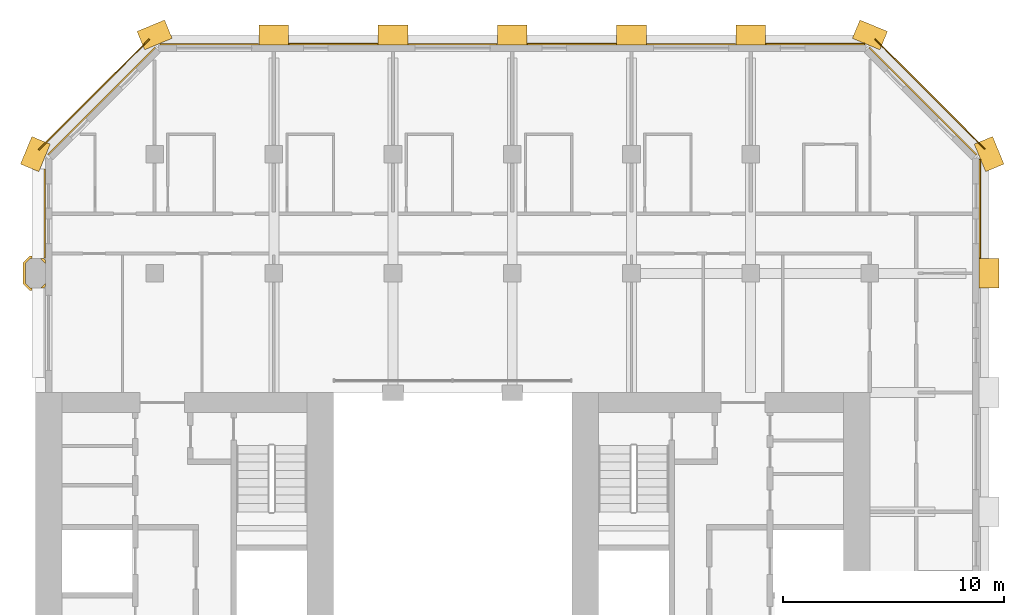
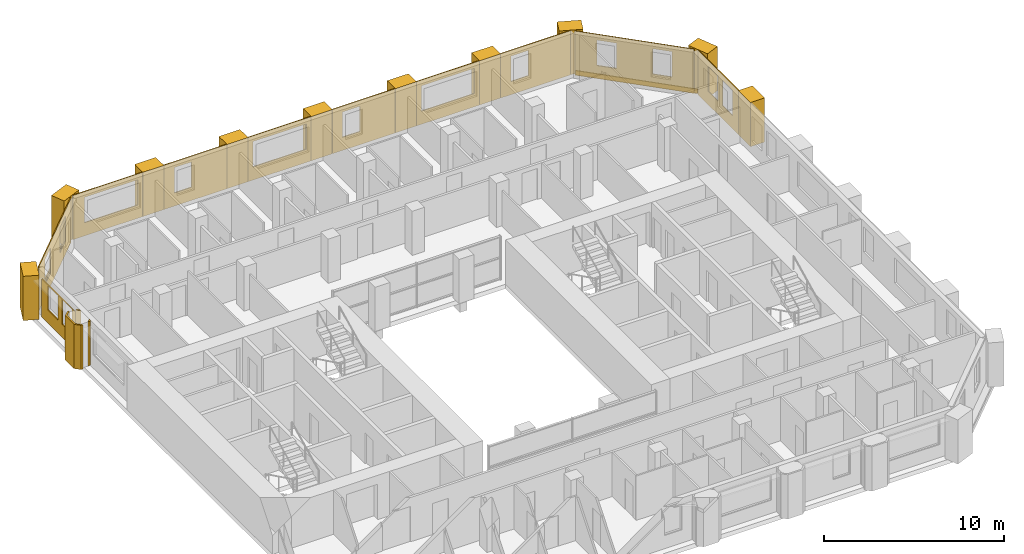
# One storey, part 12 of 12: 25 coverings.
"""IFC4 building model written with IfcOpenShell, lengths in metres."""

from ifc_helpers import new_model, si_unit, direction, frame, frame_2d, origin, place, context, subcontext, project, spatial, polyline, rectangle, outline, extrude, material, layer, layer_set, type_object, element, save


model = new_model("IFC4")

# Units and contexts
model_context = context("Model", 3, precision=1e-05, world=origin(), true_north=direction((0.0, 1.0)))
body_context = subcontext(model_context, "Body", "Model", "MODEL_VIEW")
ifc_project = project(units=[si_unit("LENGTHUNIT", "METRE"), si_unit("AREAUNIT", "SQUARE_METRE"), si_unit("VOLUMEUNIT", "CUBIC_METRE"), si_unit("PLANEANGLEUNIT", "RADIAN"), si_unit("MASSUNIT", "GRAM", prefix="KILO")], contexts=[model_context])

# Site, building, storey
site_placement = place(None, origin())
site = spatial("IfcSite", under=ifc_project, at=site_placement, CompositionType="ELEMENT")
building_placement = place(site_placement, origin())
building = spatial("IfcBuilding", under=site, at=building_placement, Name="Tabaq Tower and Sports Hall", CompositionType="ELEMENT")
storey_placement = place(building_placement, frame((0.0, 0.0, 184.0)))
storey = spatial("IfcBuildingStorey", under=building, at=storey_placement, Name="L44", CompositionType="ELEMENT", Elevation=184.0)

# Coverings
ifc_material_1 = material(Name="Precast concrete C60/75", Category="concrete")
ifc_layer_1 = layer(ifc_material_1, 0.10009765625)
ifc_layer_set_1 = layer_set([ifc_layer_1], Name="Column cladding 100")
covering_type_1 = type_object("IfcCoveringType", Name="Column cladding 100", PredefinedType="CLADDING", material=ifc_layer_set_1)
covering_1_placement = place(storey_placement, origin())
element("IfcCovering", 1, at=covering_1_placement, inside=storey, type_object=covering_type_1, Name="Column cladding L44 PC-2H-H2", PredefinedType="CLADDING", context=body_context, shape_type="SweptSolid", body=[
    extrude(outline(polyline([(5.1337890625, 37.025634765625), (4.8505859375, 37.308837890625), (4.8505859375, 38.291259765625), (5.1337890625, 38.574462890625), (5.24951171875, 38.574462890625), (5.24951171875, 38.4755859375), (5.1748046875, 38.4755859375), (4.949462890625, 38.250244140625), (4.949462890625, 37.349853515625), (5.1748046875, 37.12451171875), (5.24951171875, 37.12451171875), (5.24951171875, 37.025634765625), (5.1337890625, 37.025634765625)])), origin(), (0.0, 0.0, 1.0), 3.0),
])
covering_2_placement = place(storey_placement, origin())
element("IfcCovering", 2, at=covering_2_placement, inside=storey, type_object=covering_type_1, Name="Column cladding L44 PC-2H-H2 2", PredefinedType="CLADDING", context=body_context, shape_type="SweptSolid", body=[
    extrude(outline(polyline([(5.766357421875, 37.125244140625), (5.625732421875, 37.125244140625), (5.849609375, 37.349365234375), (5.849609375, 37.208740234375), (5.766357421875, 37.125244140625)])), origin(), (0.0, 0.0, 1.0), 3.0),
])
covering_3_placement = place(storey_placement, origin())
element("IfcCovering", 3, at=covering_3_placement, inside=storey, type_object=covering_type_1, Name="Column cladding L44 PC-2H-H2 3", PredefinedType="CLADDING", context=body_context, shape_type="SweptSolid", body=[
    extrude(outline(polyline([(5.62646484375, 38.474365234375), (5.76611328125, 38.474365234375), (5.849365234375, 38.39111328125), (5.849365234375, 38.25146484375), (5.62646484375, 38.474365234375)])), origin(), (0.0, 0.0, 1.0), 3.0),
])
ifc_material_2 = material(Name="Precast concrete C60/75", Category="concrete")
ifc_layer_2 = layer(ifc_material_2, 0.06005859375)
ifc_layer_set_2 = layer_set([ifc_layer_2], Name="Edge beam cladding 60")
covering_type_2 = type_object("IfcCoveringType", Name="Edge beam cladding 60", PredefinedType="CLADDING", material=ifc_layer_set_2)
covering_4_placement = place(storey_placement, frame((48.41015625, 43.432373046875, -0.300048828125), z_axis=(0.0, 0.0, 1.0), x_axis=(-0.707106781187, 0.707106781187, 0.0)))
element("IfcCovering", 4, at=covering_4_placement, inside=storey, type_object=covering_type_2, Name="Edge beam cladding L44 3", PredefinedType="CLADDING", context=body_context, shape_type="SweptSolid", body=[
    extrude(rectangle(XDim=7.03955078125, YDim=0.06005859375, at=frame_2d((3.519775390625, 0.0))), origin(), (0.0, 0.0, 1.0), 0.300048828125),
])
covering_5_placement = place(storey_placement, frame((10.567626953125, 48.41015625, -0.300048828125), z_axis=(0.0, 0.0, 1.0), x_axis=(-0.707089559252, -0.707124002701, 0.0)))
element("IfcCovering", 5, at=covering_5_placement, inside=storey, type_object=covering_type_2, Name="Edge beam cladding L44 5", PredefinedType="CLADDING", context=body_context, shape_type="SweptSolid", body=[
    extrude(rectangle(XDim=7.088134765625, YDim=0.06005859375, at=frame_2d((3.5439453125, 0.0))), origin(), (0.0, 0.0, 1.0), 0.300048828125),
])
ifc_material_3 = material(Name="White precast concrete C60/75", Category="concrete")
covering_type_3 = type_object("IfcCoveringType", Name="Pier cladding hung 1350x900", PredefinedType="CLADDING", material=ifc_material_3)
for number, where, z_axis, x_axis, name in (
    (6, (5.658203125, 43.82373046875, 0.0), (0.0, 0.0, 1.0), (-0.382649923473, -0.923893411637, 0.0), "Hung pier cladding 1/8"),
    (7, (11.423583984375, 48.8583984375, 0.0), (0.0, 0.0, 1.0), (-0.923893411637, -0.382649923473, 0.0), "Hung pier cladding 2/9"),
    (8, (16.875, 48.60009765625, 0.0), (0.0, 0.0, 1.0), (-1.0, 0.0, 0.0), "Hung pier cladding 3/9"),
):
    element("IfcCovering", number, at=place(storey_placement, frame(where, z_axis=z_axis, x_axis=x_axis)), inside=storey, type_object=covering_type_3, Name=name, PredefinedType="CLADDING", context=body_context, shape_type="SweptSolid", body=[
        extrude(rectangle(XDim=1.35009765625, YDim=0.89990234375, at=frame_2d((0.675048828125, 0.0))), origin(), (0.0, 0.0, 1.0), 3.0),
    ])
covering_6_placement = place(storey_placement, frame((22.27490234375, 48.60009765625, 0.0), z_axis=(0.0, 0.0, 1.0), x_axis=(-1.0, 0.0, 0.0)))
element("IfcCovering", 9, at=covering_6_placement, inside=storey, type_object=covering_type_3, Name="Hung pier cladding 4/9", PredefinedType="CLADDING", context=body_context, shape_type="SweptSolid", body=[
    extrude(rectangle(XDim=1.349853515625, YDim=0.89990234375, at=frame_2d((0.6748046875, 0.0))), origin(), (0.0, 0.0, 1.0), 3.0),
])
covering_7_placement = place(storey_placement, frame((27.675048828125, 48.60009765625, 0.0), z_axis=(0.0, 0.0, 1.0), x_axis=(-1.0, 0.0, 0.0)))
element("IfcCovering", 10, at=covering_7_placement, inside=storey, type_object=covering_type_3, Name="Hung pier cladding 5/9", PredefinedType="CLADDING", context=body_context, shape_type="SweptSolid", body=[
    extrude(rectangle(XDim=1.35009765625, YDim=0.89990234375, at=frame_2d((0.675048828125, 0.0))), origin(), (0.0, 0.0, 1.0), 3.0),
])
covering_8_placement = place(storey_placement, frame((33.074951171875, 48.60009765625, 0.0), z_axis=(0.0, 0.0, 1.0), x_axis=(-1.0, 0.0, 0.0)))
element("IfcCovering", 11, at=covering_8_placement, inside=storey, type_object=covering_type_3, Name="Hung pier cladding 6/9", PredefinedType="CLADDING", context=body_context, shape_type="SweptSolid", body=[
    extrude(rectangle(XDim=1.349853515625, YDim=0.89990234375, at=frame_2d((0.6748046875, 0.0))), origin(), (0.0, 0.0, 1.0), 3.0),
])
for number, where, z_axis, x_axis, name in (
    (12, (38.47509765625, 48.60009765625, 0.0), (0.0, 0.0, 1.0), (-1.0, 0.0, 0.0), "Hung pier cladding 7/9"),
    (13, (43.82373046875, 48.341796875, 0.0), (0.0, 0.0, 1.0), (-0.923893411637, 0.382649923473, 0.0), "Hung pier cladding 8/9"),
    (14, (48.60009765625, 37.125, 0.0), (0.0, 0.0, 1.0), (0.0, 1.0, 0.0), "Hung pier cladding 9/7"),
    (15, (48.8583984375, 42.576416015625, 0.0), (0.0, 0.0, 1.0), (-0.382649923473, 0.923893411637, 0.0), "Hung pier cladding 9/8"),
):
    element("IfcCovering", number, at=place(storey_placement, frame(where, z_axis=z_axis, x_axis=x_axis)), inside=storey, type_object=covering_type_3, Name=name, PredefinedType="CLADDING", context=body_context, shape_type="SweptSolid", body=[
        extrude(rectangle(XDim=1.35009765625, YDim=0.89990234375, at=frame_2d((0.675048828125, 0.0))), origin(), (0.0, 0.0, 1.0), 3.0),
    ])
ifc_material_4 = material(Name="Precast concrete C60/75", Category="concrete")
ifc_layer_3 = layer(ifc_material_4, 0.06005859375)
ifc_layer_set_3 = layer_set([ifc_layer_3], Name="White precast cladding panel 60 C60/75")
covering_type_4 = type_object("IfcCoveringType", Name="White precast cladding panel 60 C60/75", PredefinedType="CLADDING", material=ifc_layer_set_3)
covering_9_placement = place(storey_placement, frame((48.179931640625, 38.485107421875, 0.0), z_axis=(0.0, 0.0, 1.0), x_axis=(0.0, 1.0, 0.0)))
element("IfcCovering", 16, at=covering_9_placement, inside=storey, type_object=covering_type_4, Name="White precast cladding panel L44 wall02 6", PredefinedType="CLADDING", context=body_context, shape_type="SweptSolid", body=[
    extrude(outline(polyline([(0.0, 0.0), (4.4716796875, 0.0), (4.4716796875, 3.0), (0.0, 3.0), (0.0, 0.0)]), holes=[polyline([(0.655029296875, 2.610107421875), (1.77490234375, 2.610107421875), (1.77490234375, 0.889892578125), (0.655029296875, 0.889892578125), (0.655029296875, 2.610107421875)]), polyline([(2.2548828125, 2.610107421875), (3.375, 2.610107421875), (3.375, 0.889892578125), (2.2548828125, 0.889892578125), (2.2548828125, 2.610107421875)])]), frame((0.0, 0.030029296875, 0.0), z_axis=(0.0, -1.0, 0.0), x_axis=(1.0, 0.0, 0.0)), (0.0, 0.0, 1.0), 0.06005859375),
])
covering_10_placement = place(storey_placement, frame((48.0283203125, 43.177734375, 0.0), z_axis=(0.0, 0.0, 1.0), x_axis=(-0.707106781187, 0.707106781187, 0.0)))
element("IfcCovering", 17, at=covering_10_placement, inside=storey, type_object=covering_type_4, Name="White precast cladding panel L44 wall03", PredefinedType="CLADDING", context=body_context, shape_type="SweptSolid", body=[
    extrude(outline(polyline([(0.0, 0.0), (6.85986328125, 0.0), (6.85986328125, 3.0), (0.0, 3.0), (0.0, 0.0)]), holes=[polyline([(1.269775390625, 2.610107421875), (2.389892578125, 2.610107421875), (2.389892578125, 0.889892578125), (1.269775390625, 0.889892578125), (1.269775390625, 2.610107421875)]), polyline([(4.4697265625, 2.610107421875), (5.58984375, 2.610107421875), (5.58984375, 0.889892578125), (4.4697265625, 0.889892578125), (4.4697265625, 2.610107421875)])]), frame((0.0, 0.030029296875, 0.0), z_axis=(0.0, -1.0, 0.0), x_axis=(1.0, 0.0, 0.0)), (0.0, 0.0, 1.0), 0.06005859375),
])
covering_11_placement = place(storey_placement, frame((42.956787109375, 48.179931640625, 0.0), z_axis=(0.0, 0.0, 1.0), x_axis=(-1.0, 0.0, 0.0)))
element("IfcCovering", 18, at=covering_11_placement, inside=storey, type_object=covering_type_4, Name="White precast cladding panel L44 wall04", PredefinedType="CLADDING", context=body_context, shape_type="SweptSolid", body=[
    extrude(outline(polyline([(0.0, 0.0), (4.4716796875, 0.0), (4.4716796875, 3.0), (0.0, 3.0), (0.0, 0.0)]), holes=[polyline([(2.69677734375, 0.889892578125), (2.69677734375, 2.610107421875), (3.81689453125, 2.610107421875), (3.81689453125, 0.889892578125), (2.69677734375, 0.889892578125)])]), frame((0.0, 0.030029296875, 0.0), z_axis=(0.0, -1.0, 0.0), x_axis=(1.0, 0.0, 0.0)), (0.0, 0.0, 1.0), 0.06005859375),
])
covering_12_placement = place(storey_placement, frame((37.114990234375, 48.179931640625, 0.0), z_axis=(0.0, 0.0, 1.0), x_axis=(-1.0, 0.0, 0.0)))
element("IfcCovering", 19, at=covering_12_placement, inside=storey, type_object=covering_type_4, Name="White precast cladding panel L44 wall04 2", PredefinedType="CLADDING", context=body_context, shape_type="SweptSolid", body=[
    extrude(outline(polyline([(0.0, 0.0), (4.030029296875, 0.0), (4.030029296875, 3.0), (0.0, 3.0), (0.0, 0.0)]), holes=[polyline([(0.304931640625, 0.889892578125), (0.304931640625, 2.610107421875), (3.72509765625, 2.610107421875), (3.72509765625, 0.889892578125), (0.304931640625, 0.889892578125)])]), frame((0.0, 0.030029296875, 0.0), z_axis=(0.0, -1.0, 0.0), x_axis=(1.0, 0.0, 0.0)), (0.0, 0.0, 1.0), 0.06005859375),
])
covering_13_placement = place(storey_placement, frame((31.715087890625, 48.179931640625, 0.0), z_axis=(0.0, 0.0, 1.0), x_axis=(-1.0, 0.0, 0.0)))
element("IfcCovering", 20, at=covering_13_placement, inside=storey, type_object=covering_type_4, Name="White precast cladding panel L44 wall04 3", PredefinedType="CLADDING", context=body_context, shape_type="SweptSolid", body=[
    extrude(outline(polyline([(0.0, 0.0), (4.030029296875, 0.0), (4.030029296875, 3.0), (0.0, 3.0), (0.0, 0.0)]), holes=[polyline([(2.2548828125, 0.889892578125), (2.2548828125, 2.610107421875), (3.375, 2.610107421875), (3.375, 0.889892578125), (2.2548828125, 0.889892578125)])]), frame((0.0, 0.030029296875, 0.0), z_axis=(0.0, -1.0, 0.0), x_axis=(1.0, 0.0, 0.0)), (0.0, 0.0, 1.0), 0.06005859375),
])
covering_14_placement = place(storey_placement, frame((26.31494140625, 48.179931640625, 0.0), z_axis=(0.0, 0.0, 1.0), x_axis=(-1.0, 0.0, 0.0)))
element("IfcCovering", 21, at=covering_14_placement, inside=storey, type_object=covering_type_4, Name="White precast cladding panel L44 wall04 4", PredefinedType="CLADDING", context=body_context, shape_type="SweptSolid", body=[
    extrude(outline(polyline([(0.0, 0.0), (4.030029296875, 0.0), (4.030029296875, 3.0), (0.0, 3.0), (0.0, 0.0)]), holes=[polyline([(0.304931640625, 0.889892578125), (0.304931640625, 2.610107421875), (3.72509765625, 2.610107421875), (3.72509765625, 0.889892578125), (0.304931640625, 0.889892578125)])]), frame((0.0, 0.030029296875, 0.0), z_axis=(0.0, -1.0, 0.0), x_axis=(1.0, 0.0, 0.0)), (0.0, 0.0, 1.0), 0.06005859375),
])
covering_15_placement = place(storey_placement, frame((20.9150390625, 48.179931640625, 0.0), z_axis=(0.0, 0.0, 1.0), x_axis=(-1.0, 0.0, 0.0)))
element("IfcCovering", 22, at=covering_15_placement, inside=storey, type_object=covering_type_4, Name="White precast cladding panel L44 wall04 5", PredefinedType="CLADDING", context=body_context, shape_type="SweptSolid", body=[
    extrude(outline(polyline([(0.0, 0.0), (4.030029296875, 0.0), (4.030029296875, 3.0), (0.0, 3.0), (0.0, 0.0)]), holes=[polyline([(2.2548828125, 0.889892578125), (2.2548828125, 2.610107421875), (3.375, 2.610107421875), (3.375, 0.889892578125), (2.2548828125, 0.889892578125)])]), frame((0.0, 0.030029296875, 0.0), z_axis=(0.0, -1.0, 0.0), x_axis=(1.0, 0.0, 0.0)), (0.0, 0.0, 1.0), 0.06005859375),
])
covering_16_placement = place(storey_placement, frame((15.514892578125, 48.179931640625, 0.0), z_axis=(0.0, 0.0, 1.0), x_axis=(-1.0, 0.0, 0.0)))
element("IfcCovering", 23, at=covering_16_placement, inside=storey, type_object=covering_type_4, Name="White precast cladding panel L44 wall04 6", PredefinedType="CLADDING", context=body_context, shape_type="SweptSolid", body=[
    extrude(outline(polyline([(0.0, 0.0), (4.4716796875, 0.0), (4.4716796875, 3.0), (0.0, 3.0), (0.0, 0.0)]), holes=[polyline([(0.304931640625, 0.889892578125), (0.304931640625, 2.610107421875), (3.72509765625, 2.610107421875), (3.72509765625, 0.889892578125), (0.304931640625, 0.889892578125)])]), frame((0.0, 0.030029296875, 0.0), z_axis=(0.0, -1.0, 0.0), x_axis=(1.0, 0.0, 0.0)), (0.0, 0.0, 1.0), 0.06005859375),
])
covering_17_placement = place(storey_placement, frame((10.822265625, 48.0283203125, 0.0), z_axis=(0.0, 0.0, 1.0), x_axis=(-0.707106781187, -0.707106781187, 0.0)))
element("IfcCovering", 24, at=covering_17_placement, inside=storey, type_object=covering_type_4, Name="White precast cladding panel L44 wall05", PredefinedType="CLADDING", context=body_context, shape_type="SweptSolid", body=[
    extrude(outline(polyline([(0.0, 0.0), (6.85986328125, 0.0), (6.85986328125, 3.0), (0.0, 3.0), (0.0, 0.0)]), holes=[polyline([(1.269775390625, 2.610107421875), (2.389892578125, 2.610107421875), (2.389892578125, 0.889892578125), (1.269775390625, 0.889892578125), (1.269775390625, 2.610107421875)]), polyline([(4.4697265625, 2.610107421875), (5.58984375, 2.610107421875), (5.58984375, 0.889892578125), (4.4697265625, 0.889892578125), (4.4697265625, 2.610107421875)])]), frame((0.0, 0.030029296875, 0.0), z_axis=(0.0, -1.0, 0.0), x_axis=(1.0, 0.0, 0.0)), (0.0, 0.0, 1.0), 0.06005859375),
])
covering_18_placement = place(storey_placement, frame((5.820068359375, 42.534912109375, 0.0), z_axis=(0.0, 0.0, 1.0), x_axis=(0.0, -1.0, 0.0)))
element("IfcCovering", 25, at=covering_18_placement, inside=storey, type_object=covering_type_4, Name="White precast cladding panel L44 wall06", PredefinedType="CLADDING", context=body_context, shape_type="SweptSolid", body=[
    extrude(outline(polyline([(0.0, 0.0), (4.0498046875, 0.0), (4.0498046875, 2.590087890625), (0.0, 2.590087890625), (0.0, 0.0)]), holes=[polyline([(0.675048828125, 0.889892578125), (0.675048828125, 2.56005859375), (1.794921875, 2.56005859375), (1.794921875, 0.889892578125), (0.675048828125, 0.889892578125)]), polyline([(2.27490234375, 0.889892578125), (2.27490234375, 2.56005859375), (3.39501953125, 2.56005859375), (3.39501953125, 0.889892578125), (2.27490234375, 0.889892578125)])]), frame((0.0, 0.030029296875, 0.0), z_axis=(0.0, -1.0, 0.0), x_axis=(1.0, 0.0, 0.0)), (0.0, 0.0, 1.0), 0.06005859375),
])

save(model, "model.ifc")
